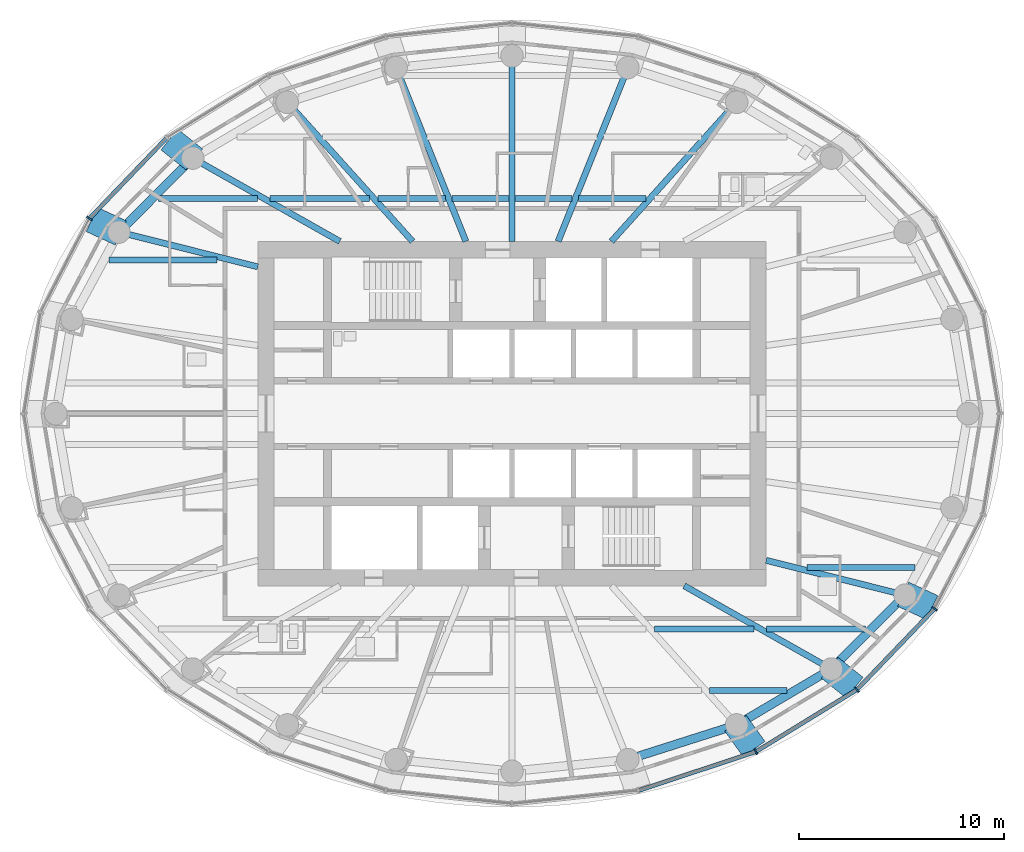
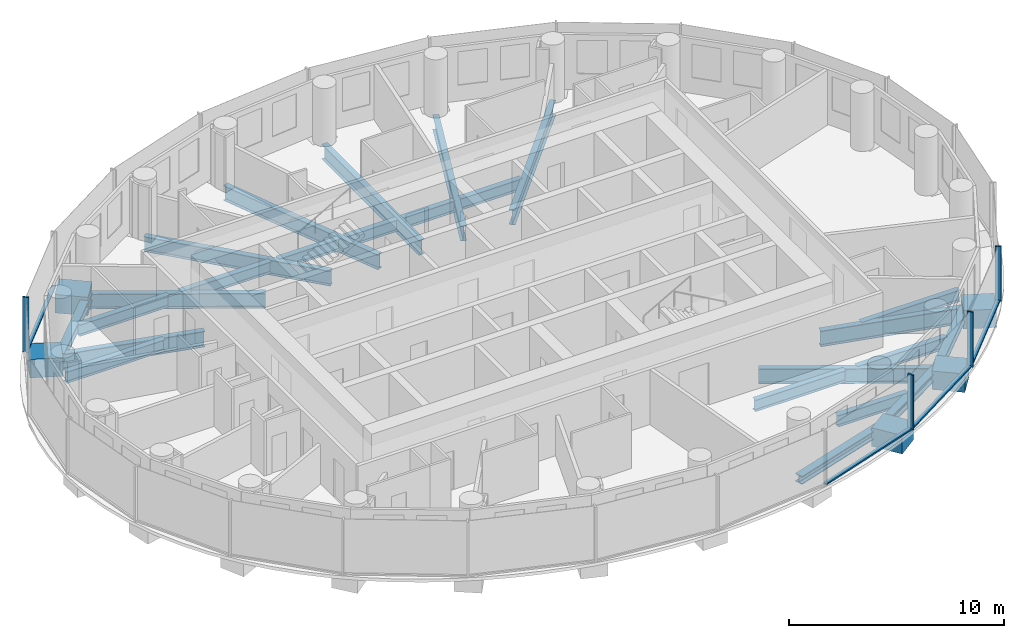
# One storey, part 3 of 16: 29 beams, 8 members, 2 elements without a shape of their own.
"""IFC4 building model written with IfcOpenShell, lengths in metres."""

from ifc_helpers import new_model, si_unit, direction, frame, origin, origin_2d, place, context, subcontext, project, spatial, rectangle, i_section, extrude, material, material_profile, profile_set, type_object, element, aggregate, save


model = new_model("IFC4")

# Units and contexts
model_context = context("Model", 3, precision=1e-05, world=origin(), true_north=direction((0.0, 1.0)))
body_context = subcontext(model_context, "Body", "Model", "MODEL_VIEW")
ifc_project = project(units=[si_unit("LENGTHUNIT", "METRE"), si_unit("AREAUNIT", "SQUARE_METRE"), si_unit("VOLUMEUNIT", "CUBIC_METRE"), si_unit("PLANEANGLEUNIT", "RADIAN"), si_unit("MASSUNIT", "GRAM", prefix="KILO")], contexts=[model_context])

# Site, building, storey
site_placement = place(None, origin())
site = spatial("IfcSite", under=ifc_project, at=site_placement, CompositionType="ELEMENT")
building_placement = place(site_placement, origin())
building = spatial("IfcBuilding", under=site, at=building_placement, Name="Hankou Lantern Tower", CompositionType="ELEMENT")
storey_placement = place(building_placement, frame((0.0, 0.0, 143.39990234375)))
storey = spatial("IfcBuildingStorey", under=building, at=storey_placement, Name="L37", CompositionType="ELEMENT", Elevation=143.39990234375)

# Beams
ifc_material_1 = material(Name="Steel Q355B", Category="steel")
ifc_material_profile_1 = material_profile(ifc_material_1, i_section(OverallWidth=0.4169921875, OverallDepth=0.4580078125, WebThickness=0.030029296875, FlangeThickness=0.050048828125, FilletRadius=0.02197265625, at=origin_2d()), Name="HW458x417x30x50")
ifc_profile_set_1 = profile_set([ifc_material_profile_1], Name="Steel Q355B")
beam_type_1 = type_object("IfcBeamType", Name="EB21 RING BEAM HW458x417x30x50", PredefinedType="SPANDREL", material=ifc_profile_set_1)
beam_1_placement = place(storey_placement, frame((-15.576171875, 12.4609375, -0.408935546875), z_axis=(-0.706147278092, -0.708064984054, 0.0), x_axis=(0.708064984054, -0.706147278092, 0.0)))
element("IfcBeam", 1, at=beam_1_placement, inside=storey, type_object=beam_type_1, Name="Ring beam R10-R11 L37", PredefinedType="SPANDREL", context=body_context, shape_type="SweptSolid", body=[
    extrude(i_section(OverallWidth=0.4169921875, OverallDepth=0.4580078125, WebThickness=0.030029296875, FlangeThickness=0.050048828125, FilletRadius=0.02197265625, at=origin_2d()), origin(), (0.0, 0.0, 1.0), 5.09228515625),
])
beam_2_placement = place(storey_placement, frame((5.65283203125, -16.87744140625, -0.408935546875), z_axis=(0.952790404271, 0.30362879562, 0.0), x_axis=(-0.30362879562, 0.952790404271, 0.0)))
element("IfcBeam", 2, at=beam_2_placement, inside=storey, type_object=beam_type_1, Name="Ring beam R20-R21 L37", PredefinedType="SPANDREL", context=body_context, shape_type="SweptSolid", body=[
    extrude(i_section(OverallWidth=0.4169921875, OverallDepth=0.4580078125, WebThickness=0.030029296875, FlangeThickness=0.050048828125, FilletRadius=0.02197265625, at=origin_2d()), origin(), (0.0, 0.0, 1.0), 5.56982421875),
])
beam_3_placement = place(storey_placement, frame((10.959716796875, -15.186279296875, -0.408935546875), z_axis=(0.861135888339, 0.508374843806, 0.0), x_axis=(-0.508374843806, 0.861135888339, 0.0)))
element("IfcBeam", 3, at=beam_3_placement, inside=storey, type_object=beam_type_1, Name="Ring beam R21-R22 L37", PredefinedType="SPANDREL", context=body_context, shape_type="SweptSolid", body=[
    extrude(i_section(OverallWidth=0.4169921875, OverallDepth=0.4580078125, WebThickness=0.030029296875, FlangeThickness=0.050048828125, FilletRadius=0.02197265625, at=origin_2d()), origin(), (0.0, 0.0, 1.0), 5.36083984375),
])
beam_4_placement = place(storey_placement, frame((15.576171875, -12.4609375, -0.408935546875), z_axis=(0.706147278092, 0.708064984054, 0.0), x_axis=(-0.708064984054, 0.706147278092, 0.0)))
element("IfcBeam", 4, at=beam_4_placement, inside=storey, type_object=beam_type_1, Name="Ring beam R22-R23 L37", PredefinedType="SPANDREL", context=body_context, shape_type="SweptSolid", body=[
    extrude(i_section(OverallWidth=0.4169921875, OverallDepth=0.4580078125, WebThickness=0.030029296875, FlangeThickness=0.050048828125, FilletRadius=0.02197265625, at=origin_2d()), origin(), (0.0, 0.0, 1.0), 5.09228515625),
])

# Curtain wall, member
ifc_material_2 = material(Name="Glass, dark grey tinted laminated", Category="glass")
curtain_wall_type = type_object("IfcCurtainWallType", Name="CWC OUTER SKIN HIGH-RISE", PredefinedType="USERDEFINED", material=ifc_material_2)
curtain_wall_1_placement = place(storey_placement, origin())
curtain_wall_1 = element("IfcCurtainWall", 5, at=curtain_wall_1_placement, inside=storey, type_object=curtain_wall_type, Name="CWC L37 OS2", ObjectType="OUTER SKIN HIGH-RISE", PredefinedType="USERDEFINED")
ifc_material_3 = material(Name="Aluminium, black anodised", Category="aluminium")
ifc_material_profile_2 = material_profile(ifc_material_3, rectangle(XDim=0.080078125, YDim=0.300048828125, at=origin_2d()), Name="MU1 80X300")
ifc_profile_set_2 = profile_set([ifc_material_profile_2], Name="Aluminium, black anodised")
member_type_1 = type_object("IfcMemberType", Name="MU1 OUTER SKIN MULLION 80X300", PredefinedType="MULLION", material=ifc_profile_set_2)
member_1_placement = place(storey_placement, frame((-20.611328125, 9.52001953125, 0.0), z_axis=(0.0, 0.0, 1.0), x_axis=(-0.585205735974, -0.810884854084, 0.0)))
member_1 = element("IfcMember", 6, at=member_1_placement, type_object=member_type_1, Name="CWC mullion 5", PredefinedType="MULLION", context=body_context, shape_type="SweptSolid", body=[
    extrude(rectangle(XDim=0.080078125, YDim=0.300048828125, at=origin_2d()), origin(), (0.0, 0.0, 1.0), 3.1201171875),
])

# Curtain wall, members
curtain_wall_2_placement = place(storey_placement, origin())
curtain_wall_2 = element("IfcCurtainWall", 7, at=curtain_wall_2_placement, inside=storey, type_object=curtain_wall_type, Name="CWC L37 OS4", ObjectType="OUTER SKIN HIGH-RISE", PredefinedType="USERDEFINED")
member_2_placement = place(storey_placement, frame((11.89990234375, -16.489013671875, 0.0), z_axis=(0.0, 0.0, 1.0), x_axis=(0.907841299004, 0.419313934686, 0.0)))
member_2 = element("IfcMember", 8, at=member_2_placement, type_object=member_type_1, Name="CWC mullion 3", PredefinedType="MULLION", context=body_context, shape_type="SweptSolid", body=[
    extrude(rectangle(XDim=0.080078125, YDim=0.300048828125, at=origin_2d()), origin(), (0.0, 0.0, 1.0), 3.1201171875),
])
member_3_placement = place(storey_placement, frame((16.8291015625, -13.46337890625, 0.0), z_axis=(0.0, 0.0, 1.0), x_axis=(0.780868809444, 0.624695047553, 0.0)))
member_3 = element("IfcMember", 9, at=member_3_placement, type_object=member_type_1, Name="CWC mullion 4", PredefinedType="MULLION", context=body_context, shape_type="SweptSolid", body=[
    extrude(rectangle(XDim=0.080078125, YDim=0.300048828125, at=origin_2d()), origin(), (0.0, 0.0, 1.0), 3.1201171875),
])
member_4_placement = place(storey_placement, frame((20.611328125, -9.52001953125, 0.0), z_axis=(0.0, 0.0, 1.0), x_axis=(0.585205735974, 0.810884854084, 0.0)))
member_4 = element("IfcMember", 10, at=member_4_placement, type_object=member_type_1, Name="CWC mullion 5", PredefinedType="MULLION", context=body_context, shape_type="SweptSolid", body=[
    extrude(rectangle(XDim=0.080078125, YDim=0.300048828125, at=origin_2d()), origin(), (0.0, 0.0, 1.0), 3.1201171875),
])

# Beams
ifc_material_4 = material(Name="Steel Q355B", Category="steel")
ifc_material_profile_3 = material_profile(ifc_material_4, i_section(OverallWidth=0.300048828125, OverallDepth=0.85009765625, WebThickness=0.01611328125, FlangeThickness=0.027099609375, FilletRadius=0.01806640625, at=origin_2d()), Name="HN850x300x16x27")
ifc_profile_set_3 = profile_set([ifc_material_profile_3], Name="Steel Q355B")
beam_type_2 = type_object("IfcBeamType", Name="RB12 RADIAL BEAM HN850x300x16x27", PredefinedType="BEAM", material=ifc_profile_set_3)
beam_5_placement = place(storey_placement, frame((4.849853515625, 8.39990234375, -0.60498046875), z_axis=(0.669093231314, 0.743178476418, 0.0), x_axis=(-0.743178476418, 0.669093231314, 0.0)))
element("IfcBeam", 11, at=beam_5_placement, inside=storey, type_object=beam_type_2, Name="Radial beam R05 L37", PredefinedType="BEAM", context=body_context, shape_type="SweptSolid", body=[
    extrude(i_section(OverallWidth=0.300048828125, OverallDepth=0.85009765625, WebThickness=0.01611328125, FlangeThickness=0.027099609375, FilletRadius=0.01806640625, at=origin_2d()), origin(), (0.0, 0.0, 1.0), 9.131591796875),
])
beam_6_placement = place(storey_placement, frame((2.250732421875, 8.39990234375, -0.60498046875), z_axis=(0.372436468133, 0.928057690666, 0.0), x_axis=(-0.928057690666, 0.372436468133, 0.0)))
element("IfcBeam", 12, at=beam_6_placement, inside=storey, type_object=beam_type_2, Name="Radial beam R06 L37", PredefinedType="BEAM", context=body_context, shape_type="SweptSolid", body=[
    extrude(i_section(OverallWidth=0.300048828125, OverallDepth=0.85009765625, WebThickness=0.01611328125, FlangeThickness=0.027099609375, FilletRadius=0.01806640625, at=origin_2d()), origin(), (0.0, 0.0, 1.0), 9.134765625),
])
beam_7_placement = place(storey_placement, frame((0.0, 8.39990234375, -0.60498046875), z_axis=(0.0, 1.0, 0.0), x_axis=(-1.0, 0.0, 0.0)))
element("IfcBeam", 13, at=beam_7_placement, inside=storey, type_object=beam_type_2, Name="Radial beam R07 L37", PredefinedType="BEAM", context=body_context, shape_type="SweptSolid", body=[
    extrude(i_section(OverallWidth=0.300048828125, OverallDepth=0.85009765625, WebThickness=0.01611328125, FlangeThickness=0.027099609375, FilletRadius=0.01806640625, at=origin_2d()), origin(), (0.0, 0.0, 1.0), 9.050048828125),
])
beam_8_placement = place(storey_placement, frame((-2.250732421875, 8.39990234375, -0.60498046875), z_axis=(-0.372436468133, 0.928057690666, 0.0), x_axis=(-0.928057690666, -0.372436468133, 0.0)))
element("IfcBeam", 14, at=beam_8_placement, inside=storey, type_object=beam_type_2, Name="Radial beam R08 L37", PredefinedType="BEAM", context=body_context, shape_type="SweptSolid", body=[
    extrude(i_section(OverallWidth=0.300048828125, OverallDepth=0.85009765625, WebThickness=0.01611328125, FlangeThickness=0.027099609375, FilletRadius=0.01806640625, at=origin_2d()), origin(), (0.0, 0.0, 1.0), 9.134765625),
])
beam_9_placement = place(storey_placement, frame((-4.849853515625, 8.39990234375, -0.60498046875), z_axis=(-0.669093231314, 0.743178476418, 0.0), x_axis=(-0.743178476418, -0.669093231314, 0.0)))
element("IfcBeam", 15, at=beam_9_placement, inside=storey, type_object=beam_type_2, Name="Radial beam R09 L37", PredefinedType="BEAM", context=body_context, shape_type="SweptSolid", body=[
    extrude(i_section(OverallWidth=0.300048828125, OverallDepth=0.85009765625, WebThickness=0.01611328125, FlangeThickness=0.027099609375, FilletRadius=0.01806640625, at=origin_2d()), origin(), (0.0, 0.0, 1.0), 9.131591796875),
])
for number, where, z_axis, x_axis, name in (
    (16, (-8.39990234375, 8.39990234375, -0.60498046875), (-0.870309058024, 0.492505983234, 0.0), (-0.492505983234, -0.870309058024, 0.0), "Radial beam R10 L37"),
    (17, (8.39990234375, -8.39990234375, -0.60498046875), (0.870309058024, -0.492505983234, 0.0), (0.492505983234, 0.870309058024, 0.0), "Radial beam R22 L37"),
):
    element("IfcBeam", number, at=place(storey_placement, frame(where, z_axis=z_axis, x_axis=x_axis)), inside=storey, type_object=beam_type_2, Name=name, PredefinedType="BEAM", context=body_context, shape_type="SweptSolid", body=[
        extrude(i_section(OverallWidth=0.300048828125, OverallDepth=0.85009765625, WebThickness=0.01611328125, FlangeThickness=0.027099609375, FilletRadius=0.01806640625, at=origin_2d()), origin(), (0.0, 0.0, 1.0), 8.24560546875),
    ])
ifc_material_5 = material(Name="Steel Q355B", Category="steel")
ifc_material_profile_4 = material_profile(ifc_material_5, i_section(OverallWidth=0.300048828125, OverallDepth=0.89990234375, WebThickness=0.01611328125, FlangeThickness=0.028076171875, FilletRadius=0.01806640625, at=origin_2d()), Name="HN900x300x16x28")
ifc_profile_set_4 = profile_set([ifc_material_profile_4], Name="Steel Q355B")
beam_type_3 = type_object("IfcBeamType", Name="RB13 RADIAL BEAM HN900x300x16x28", PredefinedType="BEAM", material=ifc_profile_set_4)
for number, where, z_axis, x_axis, name in (
    (18, (-12.39990234375, 7.1591796875, -0.6298828125), (-0.970041619568, 0.242938791274, 0.0), (-0.242938791274, -0.970041619568, 0.0), "Radial beam R11 L37"),
    (19, (12.39990234375, -7.1591796875, -0.6298828125), (0.970041619568, -0.242938791274, 0.0), (0.242938791274, 0.970041619568, 0.0), "Radial beam R23 L37"),
):
    element("IfcBeam", number, at=place(storey_placement, frame(where, z_axis=z_axis, x_axis=x_axis)), inside=storey, type_object=beam_type_3, Name=name, PredefinedType="BEAM", context=body_context, shape_type="SweptSolid", body=[
        extrude(i_section(OverallWidth=0.300048828125, OverallDepth=0.89990234375, WebThickness=0.01611328125, FlangeThickness=0.028076171875, FilletRadius=0.01806640625, at=origin_2d()), origin(), (0.0, 0.0, 1.0), 6.9814453125),
    ])
ifc_material_6 = material(Name="Steel Q355B", Category="steel")
ifc_material_profile_5 = material_profile(ifc_material_6, i_section(OverallWidth=0.300048828125, OverallDepth=0.64990234375, WebThickness=0.010986328125, FlangeThickness=0.01708984375, FilletRadius=0.01806640625, at=origin_2d()), Name="HN650x300x11x17")
ifc_profile_set_5 = profile_set([ifc_material_profile_5], Name="Steel Q355B")
beam_type_4 = type_object("IfcBeamType", Name="SB8 SECONDARY BEAM HN650x300x11x17", PredefinedType="JOIST", material=ifc_profile_set_5)
beam_10_placement = place(storey_placement, frame((9.643310546875, -13.5, -0.5048828125), z_axis=(1.0, 0.0, 0.0), x_axis=(0.0, 1.0, 0.0)))
element("IfcBeam", 20, at=beam_10_placement, inside=storey, type_object=beam_type_4, Name="Floor joist J006 L37", PredefinedType="JOIST", context=body_context, shape_type="SweptSolid", body=[
    extrude(i_section(OverallWidth=0.300048828125, OverallDepth=0.64990234375, WebThickness=0.010986328125, FlangeThickness=0.01708984375, FilletRadius=0.01806640625, at=origin_2d()), origin(), (0.0, 0.0, 1.0), 3.762451171875),
])
beam_11_placement = place(storey_placement, frame((6.9423828125, -10.5, -0.5048828125), z_axis=(1.0, 0.0, 0.0), x_axis=(0.0, 1.0, 0.0)))
element("IfcBeam", 21, at=beam_11_placement, inside=storey, type_object=beam_type_4, Name="Floor joist J013 L37", PredefinedType="JOIST", context=body_context, shape_type="SweptSolid", body=[
    extrude(i_section(OverallWidth=0.300048828125, OverallDepth=0.64990234375, WebThickness=0.010986328125, FlangeThickness=0.01708984375, FilletRadius=0.01806640625, at=origin_2d()), origin(), (0.0, 0.0, 1.0), 4.864013671875),
])
beam_12_placement = place(storey_placement, frame((12.41552734375, -10.5, -0.5048828125), z_axis=(1.0, 0.0, 0.0), x_axis=(0.0, 1.0, 0.0)))
element("IfcBeam", 22, at=beam_12_placement, inside=storey, type_object=beam_type_4, Name="Floor joist J014 L37", PredefinedType="JOIST", context=body_context, shape_type="SweptSolid", body=[
    extrude(i_section(OverallWidth=0.300048828125, OverallDepth=0.64990234375, WebThickness=0.010986328125, FlangeThickness=0.01708984375, FilletRadius=0.01806640625, at=origin_2d()), origin(), (0.0, 0.0, 1.0), 4.82177734375),
])
for number, where, z_axis, x_axis, name in (
    (23, (14.37841796875, -7.5, -0.5048828125), (1.0, 0.0, 0.0), (0.0, 1.0, 0.0), "Floor joist J016 L37"),
    (24, (-19.6650390625, 7.5, -0.5048828125), (1.0, 0.0, 0.0), (0.0, 1.0, 0.0), "Floor joist J025 L37"),
):
    element("IfcBeam", number, at=place(storey_placement, frame(where, z_axis=z_axis, x_axis=x_axis)), inside=storey, type_object=beam_type_4, Name=name, PredefinedType="JOIST", context=body_context, shape_type="SweptSolid", body=[
        extrude(i_section(OverallWidth=0.300048828125, OverallDepth=0.64990234375, WebThickness=0.010986328125, FlangeThickness=0.01708984375, FilletRadius=0.01806640625, at=origin_2d()), origin(), (0.0, 0.0, 1.0), 5.28662109375),
    ])
beam_13_placement = place(storey_placement, frame((-17.2373046875, 10.5, -0.5048828125), z_axis=(1.0, 0.0, 0.0), x_axis=(0.0, 1.0, 0.0)))
element("IfcBeam", 25, at=beam_13_placement, inside=storey, type_object=beam_type_4, Name="Floor joist J027 L37", PredefinedType="JOIST", context=body_context, shape_type="SweptSolid", body=[
    extrude(i_section(OverallWidth=0.300048828125, OverallDepth=0.64990234375, WebThickness=0.010986328125, FlangeThickness=0.01708984375, FilletRadius=0.01806640625, at=origin_2d()), origin(), (0.0, 0.0, 1.0), 4.82177734375),
])
beam_14_placement = place(storey_placement, frame((-11.806396484375, 10.5, -0.5048828125), z_axis=(1.0, 0.0, 0.0), x_axis=(0.0, 1.0, 0.0)))
element("IfcBeam", 26, at=beam_14_placement, inside=storey, type_object=beam_type_4, Name="Floor joist J028 L37", PredefinedType="JOIST", context=body_context, shape_type="SweptSolid", body=[
    extrude(i_section(OverallWidth=0.300048828125, OverallDepth=0.64990234375, WebThickness=0.010986328125, FlangeThickness=0.01708984375, FilletRadius=0.01806640625, at=origin_2d()), origin(), (0.0, 0.0, 1.0), 4.864013671875),
])
beam_15_placement = place(storey_placement, frame((-6.53857421875, 10.5, -0.5048828125), z_axis=(1.0, 0.0, 0.0), x_axis=(0.0, 1.0, 0.0)))
element("IfcBeam", 27, at=beam_15_placement, inside=storey, type_object=beam_type_4, Name="Floor joist J029 L37", PredefinedType="JOIST", context=body_context, shape_type="SweptSolid", body=[
    extrude(i_section(OverallWidth=0.300048828125, OverallDepth=0.64990234375, WebThickness=0.010986328125, FlangeThickness=0.01708984375, FilletRadius=0.01806640625, at=origin_2d()), origin(), (0.0, 0.0, 1.0), 3.283447265625),
])
for number, where, z_axis, x_axis, name in (
    (28, (-2.931884765625, 10.5, -0.5048828125), (1.0, 0.0, 0.0), (0.0, 1.0, 0.0), "Floor joist J030 L37"),
    (29, (0.14990234375, 10.5, -0.5048828125), (1.0, 0.0, 0.0), (0.0, 1.0, 0.0), "Floor joist J031 L37"),
):
    element("IfcBeam", number, at=place(storey_placement, frame(where, z_axis=z_axis, x_axis=x_axis)), inside=storey, type_object=beam_type_4, Name=name, PredefinedType="JOIST", context=body_context, shape_type="SweptSolid", body=[
        extrude(i_section(OverallWidth=0.300048828125, OverallDepth=0.64990234375, WebThickness=0.010986328125, FlangeThickness=0.01708984375, FilletRadius=0.01806640625, at=origin_2d()), origin(), (0.0, 0.0, 1.0), 2.781982421875),
    ])
beam_16_placement = place(storey_placement, frame((3.255126953125, 10.5, -0.5048828125), z_axis=(1.0, 0.0, 0.0), x_axis=(0.0, 1.0, 0.0)))
element("IfcBeam", 30, at=beam_16_placement, inside=storey, type_object=beam_type_4, Name="Floor joist J032 L37", PredefinedType="JOIST", context=body_context, shape_type="SweptSolid", body=[
    extrude(i_section(OverallWidth=0.300048828125, OverallDepth=0.64990234375, WebThickness=0.010986328125, FlangeThickness=0.01708984375, FilletRadius=0.01806640625, at=origin_2d()), origin(), (0.0, 0.0, 1.0), 3.283447265625),
])
ifc_material_7 = material(Name="Concrete C60", Category="concrete")
ifc_material_profile_6 = material_profile(ifc_material_7, rectangle(XDim=1.300048828125, YDim=1.050048828125, at=origin_2d()), Name="RC 1300x1050")
ifc_profile_set_6 = profile_set([ifc_material_profile_6], Name="Concrete C60")
beam_type_5 = type_object("IfcBeamType", Name="TN2 TRANSFER NODE RC 1300x1050", PredefinedType="BEAM", material=ifc_profile_set_6)
beam_17_placement = place(storey_placement, frame((-16.71630859375, 13.373046875, -0.52490234375), z_axis=(0.780868809443, -0.624695047554, 0.0), x_axis=(0.624695047554, 0.780868809443, 0.0)))
element("IfcBeam", 31, at=beam_17_placement, inside=storey, type_object=beam_type_5, Name="Transfer node R10 L37", PredefinedType="BEAM", context=body_context, shape_type="SweptSolid", body=[
    extrude(rectangle(XDim=1.300048828125, YDim=1.050048828125, at=origin_2d()), origin(), (0.0, 0.0, 1.0), 1.56005859375),
])
beam_18_placement = place(storey_placement, frame((-20.49755859375, 9.467529296875, -0.52490234375), z_axis=(0.907776062838, -0.419455146277, 0.0), x_axis=(0.419455146277, 0.907776062838, 0.0)))
element("IfcBeam", 32, at=beam_18_placement, inside=storey, type_object=beam_type_5, Name="Transfer node R11 L37", PredefinedType="BEAM", context=body_context, shape_type="SweptSolid", body=[
    extrude(rectangle(XDim=1.300048828125, YDim=1.050048828125, at=origin_2d()), origin(), (0.0, 0.0, 1.0), 1.559814453125),
])
for number, where, z_axis, x_axis, name in (
    (33, (11.814208984375, -16.3701171875, -0.52490234375), (-0.585301978725, 0.810815388175, 0.0), (-0.810815388175, -0.585301978725, 0.0), "Transfer node R21 L37"),
    (34, (16.71630859375, -13.373046875, -0.52490234375), (-0.780868809443, 0.624695047554, 0.0), (-0.624695047554, -0.780868809443, 0.0), "Transfer node R22 L37"),
):
    element("IfcBeam", number, at=place(storey_placement, frame(where, z_axis=z_axis, x_axis=x_axis)), inside=storey, type_object=beam_type_5, Name=name, PredefinedType="BEAM", context=body_context, shape_type="SweptSolid", body=[
        extrude(rectangle(XDim=1.300048828125, YDim=1.050048828125, at=origin_2d()), origin(), (0.0, 0.0, 1.0), 1.56005859375),
    ])
beam_19_placement = place(storey_placement, frame((20.49755859375, -9.467529296875, -0.52490234375), z_axis=(-0.907776062838, 0.419455146277, 0.0), x_axis=(-0.419455146277, -0.907776062838, 0.0)))
element("IfcBeam", 35, at=beam_19_placement, inside=storey, type_object=beam_type_5, Name="Transfer node R23 L37", PredefinedType="BEAM", context=body_context, shape_type="SweptSolid", body=[
    extrude(rectangle(XDim=1.300048828125, YDim=1.050048828125, at=origin_2d()), origin(), (0.0, 0.0, 1.0), 1.559814453125),
])

# Member
ifc_material_8 = material(Name="Aluminium, black anodised", Category="aluminium")
ifc_material_profile_7 = material_profile(ifc_material_8, rectangle(XDim=0.199951171875, YDim=0.080078125, at=origin_2d()), Name="TR1 200X80")
ifc_profile_set_7 = profile_set([ifc_material_profile_7], Name="Aluminium, black anodised")
member_type_2 = type_object("IfcMemberType", Name="TR1 OUTER SKIN TRANSOM 200X80", PredefinedType="USERDEFINED", material=ifc_profile_set_7)
member_5_placement = place(storey_placement, frame((-16.85693359375, 13.434326171875, 0.0400390625), z_axis=(-0.692215543831, -0.721690820836, 0.0), x_axis=(0.721690820836, -0.692215543831, 0.0)))
member_5 = element("IfcMember", 36, at=member_5_placement, type_object=member_type_2, Name="CWC transom 4", ObjectType="TRANSOM", PredefinedType="USERDEFINED", context=body_context, shape_type="SweptSolid", body=[
    extrude(rectangle(XDim=0.199951171875, YDim=0.080078125, at=origin_2d()), origin(), (0.0, 0.0, 1.0), 5.3837890625),
])

aggregate(curtain_wall_1, [member_1, member_5])

member_6_placement = place(storey_placement, frame((6.19775390625, -18.378662109375, 0.0400390625), z_axis=(0.949242327551, 0.314545709849, 0.0), x_axis=(-0.314545709849, 0.949242327551, 0.0)))
member_6 = element("IfcMember", 37, at=member_6_placement, type_object=member_type_2, Name="CWC transom 2", ObjectType="TRANSOM", PredefinedType="USERDEFINED", context=body_context, shape_type="SweptSolid", body=[
    extrude(rectangle(XDim=0.199951171875, YDim=0.080078125, at=origin_2d()), origin(), (0.0, 0.0, 1.0), 5.96728515625),
])

member_7_placement = place(storey_placement, frame((11.93408203125, -16.46826171875, 0.0400390625), z_axis=(0.852229482357, 0.523168146394, 0.0), x_axis=(-0.523168146394, 0.852229482357, 0.0)))
member_7 = element("IfcMember", 38, at=member_7_placement, type_object=member_type_2, Name="CWC transom 3", ObjectType="TRANSOM", PredefinedType="USERDEFINED", context=body_context, shape_type="SweptSolid", body=[
    extrude(rectangle(XDim=0.199951171875, YDim=0.080078125, at=origin_2d()), origin(), (0.0, 0.0, 1.0), 5.703857421875),
])

member_8_placement = place(storey_placement, frame((16.85693359375, -13.434326171875, 0.0400390625), z_axis=(0.692215543831, 0.721690820836, 0.0), x_axis=(-0.721690820836, 0.692215543831, 0.0)))
member_8 = element("IfcMember", 39, at=member_8_placement, type_object=member_type_2, Name="CWC transom 4", ObjectType="TRANSOM", PredefinedType="USERDEFINED", context=body_context, shape_type="SweptSolid", body=[
    extrude(rectangle(XDim=0.199951171875, YDim=0.080078125, at=origin_2d()), origin(), (0.0, 0.0, 1.0), 5.3837890625),
])

aggregate(curtain_wall_2, [member_2, member_3, member_4, member_6, member_7, member_8])

save(model, "model.ifc")
